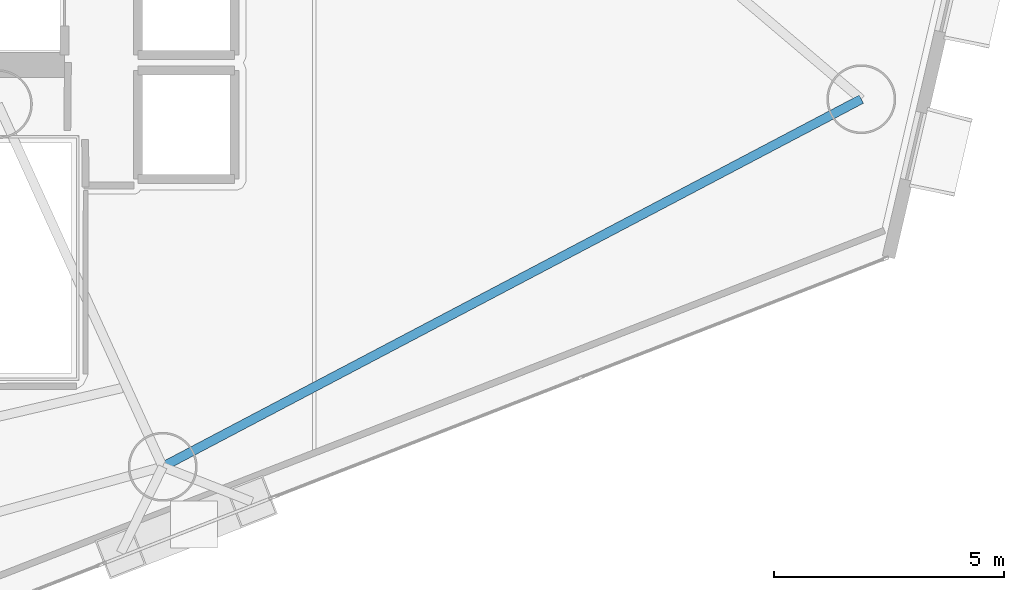
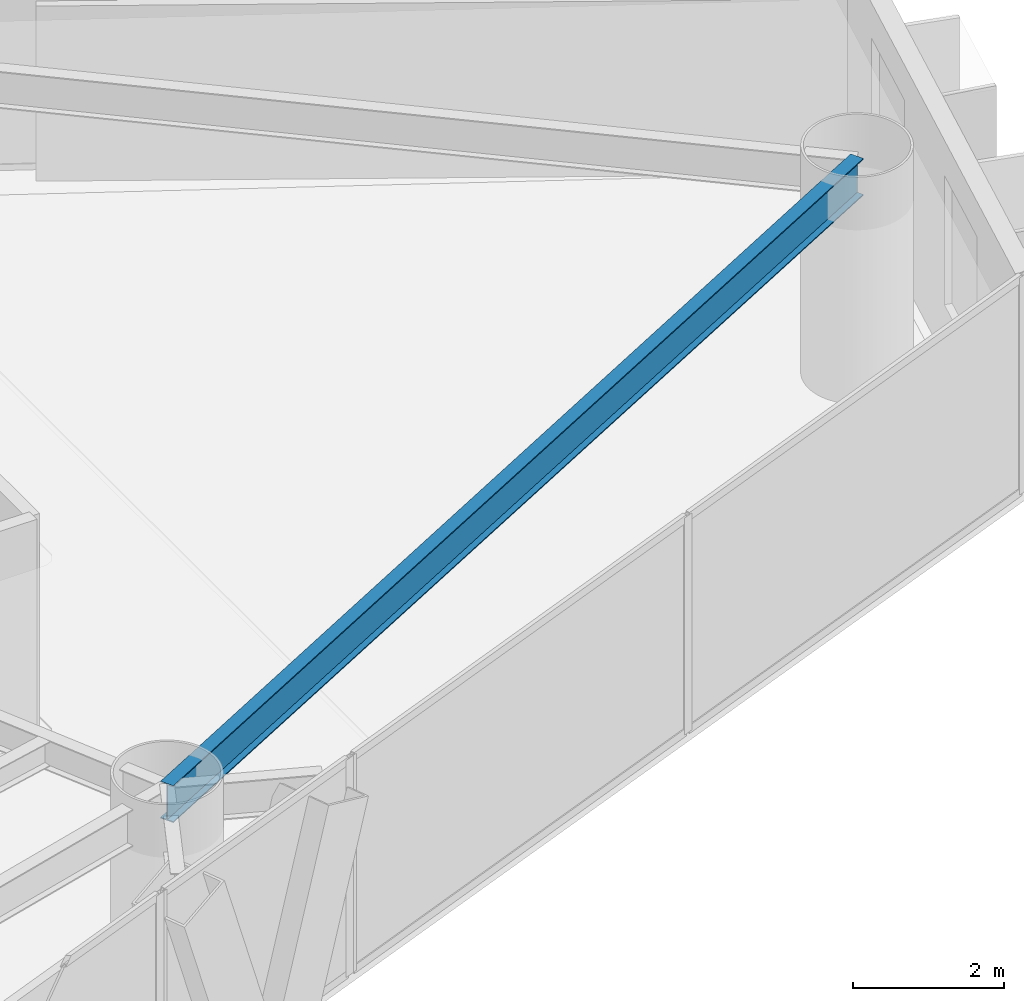
# One storey, part 6 of 21: 1 beam.
"""IFC4 building model written with IfcOpenShell, lengths in metres."""

from ifc_helpers import new_model, si_unit, direction, frame, origin, origin_2d, place, context, subcontext, project, spatial, i_section, extrude, material, material_profile, profile_set, type_object, element, save


model = new_model("IFC4")

# Units and contexts
model_context = context("Model", 3, precision=1e-05, world=origin(), true_north=direction((0.0, 1.0)))
body_context = subcontext(model_context, "Body", "Model", "MODEL_VIEW")
ifc_project = project(units=[si_unit("LENGTHUNIT", "METRE"), si_unit("AREAUNIT", "SQUARE_METRE"), si_unit("VOLUMEUNIT", "CUBIC_METRE"), si_unit("PLANEANGLEUNIT", "RADIAN"), si_unit("MASSUNIT", "GRAM", prefix="KILO")], contexts=[model_context])

# Site, building, storey
site_placement = place(None, origin())
site = spatial("IfcSite", under=ifc_project, at=site_placement, CompositionType="ELEMENT")
building_placement = place(site_placement, origin())
building = spatial("IfcBuilding", under=site, at=building_placement, Name="Qianvela Tower", CompositionType="ELEMENT")
storey_placement = place(building_placement, frame((0.0, 0.0, 131.10009765625)))
storey = spatial("IfcBuildingStorey", under=building, at=storey_placement, Name="L33", CompositionType="ELEMENT", Elevation=131.10009765625)

# Beam
ifc_material = material(Name="Steel Q355B", Category="steel")
ifc_material_profile = material_profile(ifc_material, i_section(OverallWidth=0.199951171875, OverallDepth=0.60009765625, WebThickness=0.010986328125, FlangeThickness=0.01708984375, at=origin_2d()), Name="HN600x200x11x17")
ifc_profile_set = profile_set([ifc_material_profile], Name="Steel Q355B")
beam_type = type_object("IfcBeamType", Name="BM-HN600-GIRD", PredefinedType="BEAM", material=ifc_profile_set)
beam_placement = place(storey_placement, frame((41.988037109375, 15.95703125, 3.218017578125), z_axis=(0.884971229381, 0.465645705627, 0.0), x_axis=(-0.465645705627, 0.884971229381, 0.0)))
element("IfcBeam", 1, at=beam_placement, inside=storey, type_object=beam_type, Name="L33 Perimeter Ring Spandrel Girder 6", PredefinedType="BEAM", context=body_context, shape_type="SweptSolid", body=[
    extrude(i_section(OverallWidth=0.199951171875, OverallDepth=0.60009765625, WebThickness=0.010986328125, FlangeThickness=0.01708984375, at=origin_2d()), origin(), (0.0, 0.0, 1.0), 17.1826171875),
])

save(model, "model.ifc")
